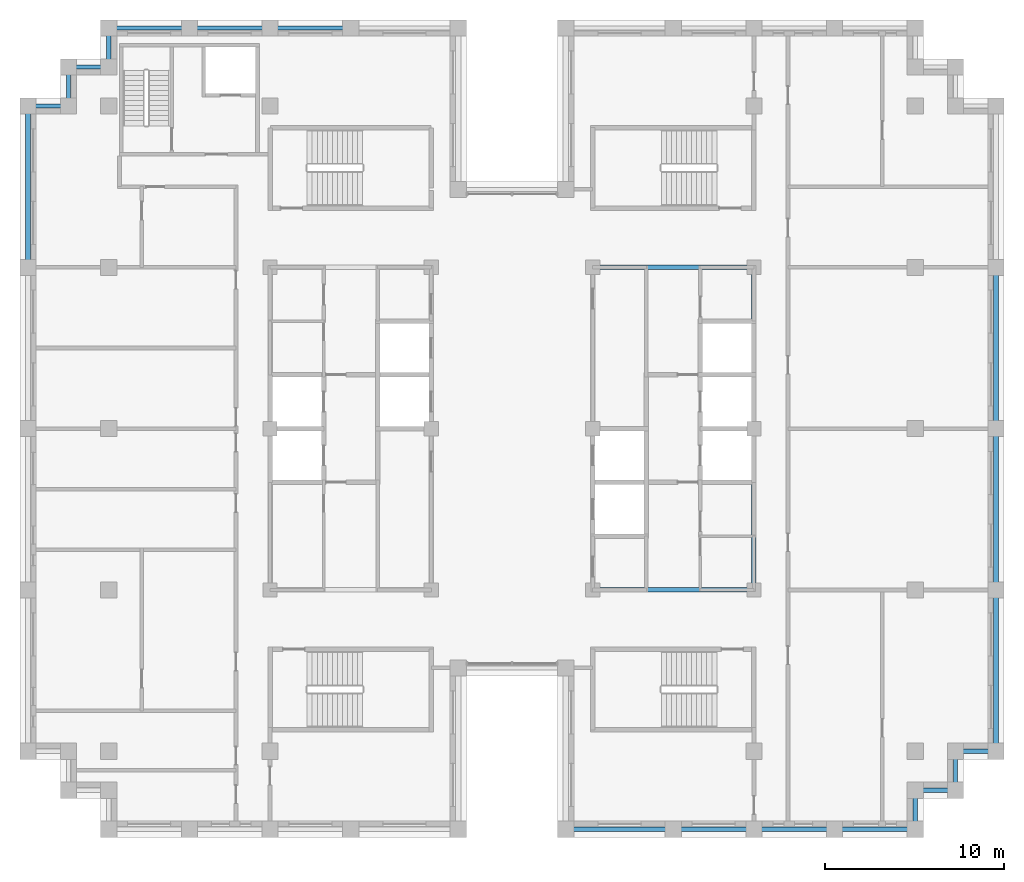
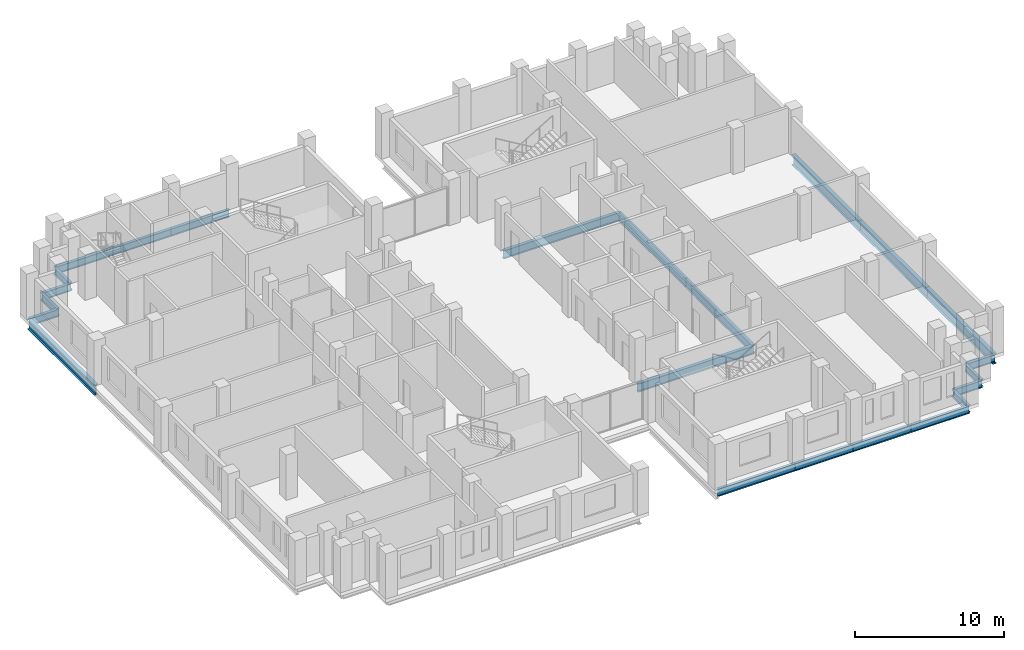
# One storey, part 3 of 13: 23 beams.
"""IFC4 building model written with IfcOpenShell, lengths in metres."""

from ifc_helpers import new_model, si_unit, direction, frame, origin, origin_2d, place, context, subcontext, project, spatial, i_section, extrude, material, material_profile, profile_set, type_object, element, save


model = new_model("IFC4")

# Units and contexts
model_context = context("Model", 3, precision=1e-05, world=origin(), true_north=direction((0.0, 1.0)))
body_context = subcontext(model_context, "Body", "Model", "MODEL_VIEW")
ifc_project = project(units=[si_unit("LENGTHUNIT", "METRE"), si_unit("AREAUNIT", "SQUARE_METRE"), si_unit("VOLUMEUNIT", "CUBIC_METRE"), si_unit("PLANEANGLEUNIT", "RADIAN"), si_unit("MASSUNIT", "GRAM", prefix="KILO")], contexts=[model_context])

# Site, building, storey
site_placement = place(None, origin())
site = spatial("IfcSite", under=ifc_project, at=site_placement, CompositionType="ELEMENT")
building_placement = place(site_placement, origin())
building = spatial("IfcBuilding", under=site, at=building_placement, Name="Corbelhall Arena Tower", CompositionType="ELEMENT")
storey_placement = place(building_placement, frame((0.0, 0.0, 282.0)))
storey = spatial("IfcBuildingStorey", under=building, at=storey_placement, Name="L61", CompositionType="ELEMENT", Elevation=282.0)

# Beams
ifc_material = material(Name="Steel ASTM A992 Gr50", Category="steel")
ifc_material_profile_1 = material_profile(ifc_material, i_section(OverallWidth=0.25390625, OverallDepth=0.67822265625, WebThickness=0.01171875, FlangeThickness=0.016357421875, at=origin_2d()))
ifc_profile_set_1 = profile_set([ifc_material_profile_1], Name="Steel ASTM A992 Gr50")
beam_type_1 = type_object("IfcBeamType", Name="ST-BEAM-W27x84", PredefinedType="BEAM", material=ifc_profile_set_1)
for number, where, z_axis, x_axis, name in (
    (1, (13.5, -9.0, -0.619140625), (0.0, 1.0, 0.0), (-1.0, 0.0, 0.0), "Beam CEE 9"),
    (2, (13.5, 0.0, -0.619140625), (0.0, 1.0, 0.0), (-1.0, 0.0, 0.0), "Beam CEE 10"),
    (3, (4.5, -9.0, -0.619140625), (1.0, 0.0, 0.0), (0.0, 1.0, 0.0), "Beam CEE 11"),
    (4, (4.5, 9.0, -0.619140625), (1.0, 0.0, 0.0), (0.0, 1.0, 0.0), "Beam CEE 12"),
):
    element("IfcBeam", number, at=place(storey_placement, frame(where, z_axis=z_axis, x_axis=x_axis)), inside=storey, type_object=beam_type_1, Name=name, PredefinedType="BEAM", context=body_context, shape_type="SweptSolid", body=[
        extrude(i_section(OverallWidth=0.25390625, OverallDepth=0.67822265625, WebThickness=0.01171875, FlangeThickness=0.016357421875, at=origin_2d()), origin(), (0.0, 0.0, 1.0), 9.0),
    ])
ifc_material_profile_2 = material_profile(ifc_material, i_section(OverallWidth=0.227783203125, OverallDepth=0.60205078125, WebThickness=0.010498046875, FlangeThickness=0.014892578125, at=origin_2d()))
ifc_profile_set_2 = profile_set([ifc_material_profile_2], Name="Steel ASTM A992 Gr50")
beam_type_2 = type_object("IfcBeamType", Name="ST-SPANDREL-W24x68", PredefinedType="SPANDREL", material=ifc_profile_set_2)
beam_1_placement = place(storey_placement, frame((27.0, -18.0, -0.5810546875), z_axis=(-1.0, 0.0, 0.0), x_axis=(0.0, -1.0, 0.0)))
element("IfcBeam", 5, at=beam_1_placement, inside=storey, type_object=beam_type_2, Name="Beam SP 5", PredefinedType="SPANDREL", context=body_context, shape_type="SweptSolid", body=[
    extrude(i_section(OverallWidth=0.227783203125, OverallDepth=0.60205078125, WebThickness=0.010498046875, FlangeThickness=0.014892578125, at=origin_2d()), origin(), (0.0, 0.0, 1.0), 2.25),
])
for number, where, z_axis, x_axis, name in (
    (6, (-13.5, 22.35009765625, -0.5810546875), (1.0, 0.0, 0.0), (0.0, 1.0, 0.0), "Beam SP 13"),
    (7, (-18.0, 22.35009765625, -0.5810546875), (1.0, 0.0, 0.0), (0.0, 1.0, 0.0), "Beam SP 14"),
    (8, (-22.5, 22.35009765625, -0.5810546875), (1.0, 0.0, 0.0), (0.0, 1.0, 0.0), "Beam SP 15"),
):
    element("IfcBeam", number, at=place(storey_placement, frame(where, z_axis=z_axis, x_axis=x_axis)), inside=storey, type_object=beam_type_2, Name=name, PredefinedType="SPANDREL", context=body_context, shape_type="SweptSolid", body=[
        extrude(i_section(OverallWidth=0.227783203125, OverallDepth=0.60205078125, WebThickness=0.010498046875, FlangeThickness=0.014892578125, at=origin_2d()), origin(), (0.0, 0.0, 1.0), 4.5),
    ])
beam_2_placement = place(storey_placement, frame((9.0, -22.35009765625, -0.5810546875), z_axis=(-1.0, 0.0, 0.0), x_axis=(0.0, -1.0, 0.0)))
element("IfcBeam", 9, at=beam_2_placement, inside=storey, type_object=beam_type_2, Name="Beam SP 17", PredefinedType="SPANDREL", context=body_context, shape_type="SweptSolid", body=[
    extrude(i_section(OverallWidth=0.227783203125, OverallDepth=0.60205078125, WebThickness=0.010498046875, FlangeThickness=0.014892578125, at=origin_2d()), origin(), (0.0, 0.0, 1.0), 6.0),
])
for number, where, z_axis, x_axis, name in (
    (10, (13.5, -22.35009765625, -0.5810546875), (-1.0, 0.0, 0.0), (0.0, -1.0, 0.0), "Beam SP 18"),
    (11, (18.0, -22.35009765625, -0.5810546875), (-1.0, 0.0, 0.0), (0.0, -1.0, 0.0), "Beam SP 19"),
    (12, (22.5, -22.35009765625, -0.5810546875), (-1.0, 0.0, 0.0), (0.0, -1.0, 0.0), "Beam SP 20"),
):
    element("IfcBeam", number, at=place(storey_placement, frame(where, z_axis=z_axis, x_axis=x_axis)), inside=storey, type_object=beam_type_2, Name=name, PredefinedType="SPANDREL", context=body_context, shape_type="SweptSolid", body=[
        extrude(i_section(OverallWidth=0.227783203125, OverallDepth=0.60205078125, WebThickness=0.010498046875, FlangeThickness=0.014892578125, at=origin_2d()), origin(), (0.0, 0.0, 1.0), 4.5),
    ])
beam_3_placement = place(storey_placement, frame((-27.0, 18.0, -0.5810546875), z_axis=(1.0, 0.0, 0.0), x_axis=(0.0, 1.0, 0.0)))
element("IfcBeam", 13, at=beam_3_placement, inside=storey, type_object=beam_type_2, Name="Beam SP 28", PredefinedType="SPANDREL", context=body_context, shape_type="SweptSolid", body=[
    extrude(i_section(OverallWidth=0.227783203125, OverallDepth=0.60205078125, WebThickness=0.010498046875, FlangeThickness=0.014892578125, at=origin_2d()), origin(), (0.0, 0.0, 1.0), 2.25),
])
beam_4_placement = place(storey_placement, frame((-22.5, 20.175048828125, -0.5810546875), z_axis=(0.0, 1.0, 0.0), x_axis=(-1.0, 0.0, 0.0)))
element("IfcBeam", 14, at=beam_4_placement, inside=storey, type_object=beam_type_2, Name="Beam SP 38", PredefinedType="SPANDREL", context=body_context, shape_type="SweptSolid", body=[
    extrude(i_section(OverallWidth=0.227783203125, OverallDepth=0.60205078125, WebThickness=0.010498046875, FlangeThickness=0.014892578125, at=origin_2d()), origin(), (0.0, 0.0, 1.0), 2.175048828125),
])
beam_5_placement = place(storey_placement, frame((-24.75, 20.175048828125, -0.5810546875), z_axis=(1.0, 0.0, 0.0), x_axis=(0.0, 1.0, 0.0)))
element("IfcBeam", 15, at=beam_5_placement, inside=storey, type_object=beam_type_2, Name="Beam SP 39", PredefinedType="SPANDREL", context=body_context, shape_type="SweptSolid", body=[
    extrude(i_section(OverallWidth=0.227783203125, OverallDepth=0.60205078125, WebThickness=0.010498046875, FlangeThickness=0.014892578125, at=origin_2d()), origin(), (0.0, 0.0, 1.0), 2.25),
])
for number, where, z_axis, x_axis, name in (
    (16, (-24.75, 18.0, -0.5810546875), (0.0, 1.0, 0.0), (-1.0, 0.0, 0.0), "Beam SP 40"),
    (17, (22.5, -20.175048828125, -0.5810546875), (0.0, -1.0, 0.0), (1.0, 0.0, 0.0), "Beam SP 41"),
):
    element("IfcBeam", number, at=place(storey_placement, frame(where, z_axis=z_axis, x_axis=x_axis)), inside=storey, type_object=beam_type_2, Name=name, PredefinedType="SPANDREL", context=body_context, shape_type="SweptSolid", body=[
        extrude(i_section(OverallWidth=0.227783203125, OverallDepth=0.60205078125, WebThickness=0.010498046875, FlangeThickness=0.014892578125, at=origin_2d()), origin(), (0.0, 0.0, 1.0), 2.175048828125),
    ])
beam_6_placement = place(storey_placement, frame((24.75, -20.175048828125, -0.5810546875), z_axis=(-1.0, 0.0, 0.0), x_axis=(0.0, -1.0, 0.0)))
element("IfcBeam", 18, at=beam_6_placement, inside=storey, type_object=beam_type_2, Name="Beam SP 42", PredefinedType="SPANDREL", context=body_context, shape_type="SweptSolid", body=[
    extrude(i_section(OverallWidth=0.227783203125, OverallDepth=0.60205078125, WebThickness=0.010498046875, FlangeThickness=0.014892578125, at=origin_2d()), origin(), (0.0, 0.0, 1.0), 2.25),
])
beam_7_placement = place(storey_placement, frame((24.75, -18.0, -0.5810546875), z_axis=(0.0, -1.0, 0.0), x_axis=(1.0, 0.0, 0.0)))
element("IfcBeam", 19, at=beam_7_placement, inside=storey, type_object=beam_type_2, Name="Beam SP 43", PredefinedType="SPANDREL", context=body_context, shape_type="SweptSolid", body=[
    extrude(i_section(OverallWidth=0.227783203125, OverallDepth=0.60205078125, WebThickness=0.010498046875, FlangeThickness=0.014892578125, at=origin_2d()), origin(), (0.0, 0.0, 1.0), 2.175048828125),
])
ifc_material_profile_3 = material_profile(ifc_material, i_section(OverallWidth=0.2919921875, OverallDepth=0.845703125, WebThickness=0.015380859375, FlangeThickness=0.0244140625, at=origin_2d()))
ifc_profile_set_3 = profile_set([ifc_material_profile_3], Name="Steel ASTM A992 Gr50")
beam_type_3 = type_object("IfcBeamType", Name="ST-SPANDREL-W33x141", PredefinedType="SPANDREL", material=ifc_profile_set_3)
for number, where, z_axis, x_axis, name in (
    (20, (27.0, 0.0, -0.702880859375), (0.0, -1.0, 0.0), (1.0, 0.0, 0.0), "Beam SP 1"),
    (21, (27.0, 9.0, -0.702880859375), (0.0, -1.0, 0.0), (1.0, 0.0, 0.0), "Beam SP 2"),
    (22, (27.0, -9.0, -0.702880859375), (0.0, -1.0, 0.0), (1.0, 0.0, 0.0), "Beam SP 4"),
    (23, (-27.0, 9.0, -0.702880859375), (0.0, 1.0, 0.0), (-1.0, 0.0, 0.0), "Beam SP 27"),
):
    element("IfcBeam", number, at=place(storey_placement, frame(where, z_axis=z_axis, x_axis=x_axis)), inside=storey, type_object=beam_type_3, Name=name, PredefinedType="SPANDREL", context=body_context, shape_type="SweptSolid", body=[
        extrude(i_section(OverallWidth=0.2919921875, OverallDepth=0.845703125, WebThickness=0.015380859375, FlangeThickness=0.0244140625, at=origin_2d()), origin(), (0.0, 0.0, 1.0), 9.0),
    ])

save(model, "model.ifc")
